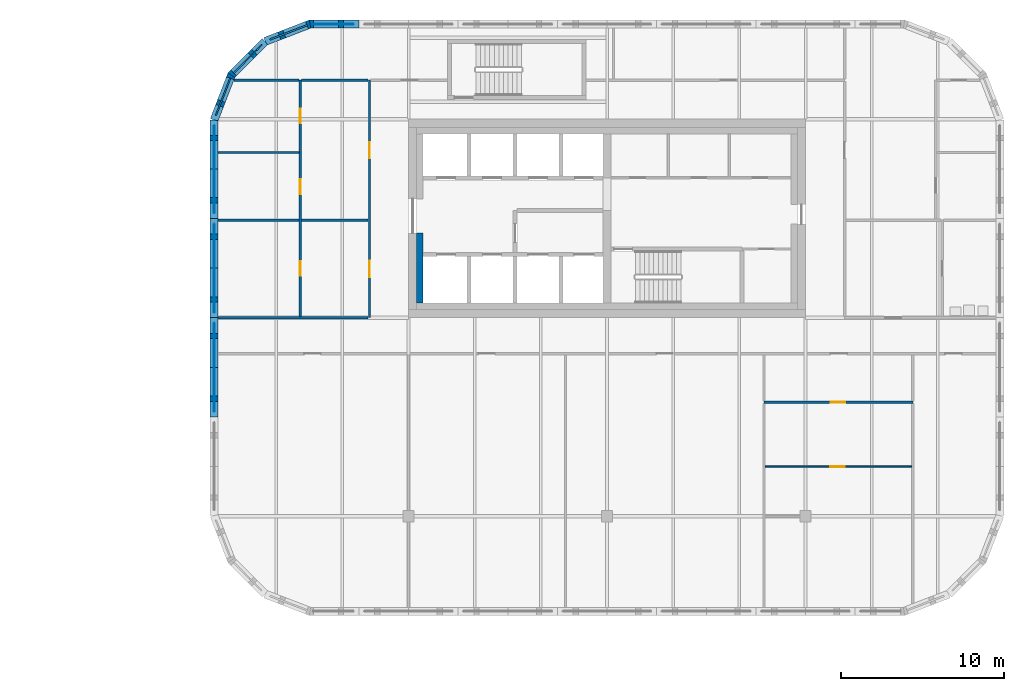
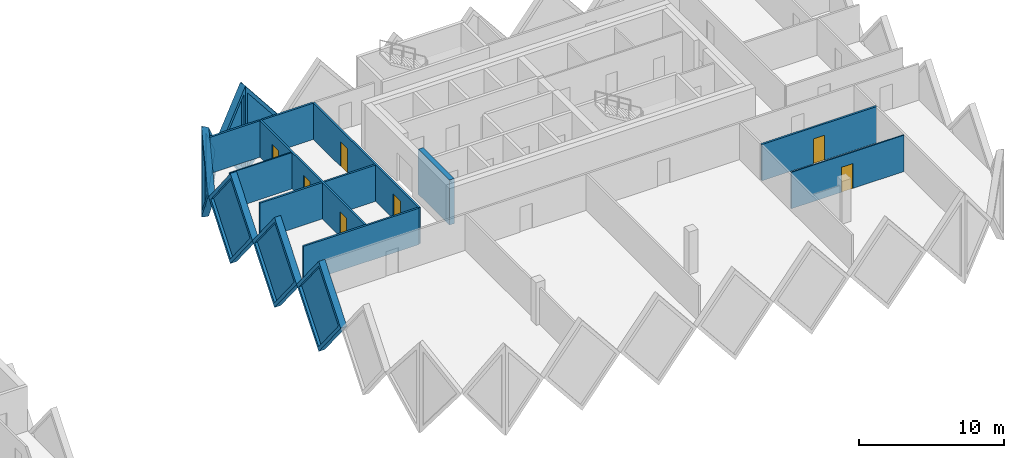
# One storey, part 12 of 19: 18 walls, 7 doors, 7 plates, 14 openings.
"""IFC4 building model written with IfcOpenShell, lengths in metres."""

import ifcopenshell
import ifcopenshell.guid

model = None  # the IFC model being written
_history = None  # IfcOwnerHistory: only IFC2X3 demands one
_inside = {}  # id of a spatial element -> (the spatial element, [elements in it])
_under = {}  # id of a project, library or spatial element -> (it, [spatial elements below it])
_declared = {}  # id of a project -> (the project, [libraries it declares])
_typed = {}  # id of a type object -> (the type object, [elements of that type])
_made_of = {}  # id of a material, layer set ... -> (it, [elements and type objects made of it])


def new_model(schema):
    """Start an empty IFC model of exactly this schema.

    Asked for "IFC4X3", IfcOpenShell would pick the latest addendum, in which some entities
    have other attributes; the version numbers below select the first issue.
    IFC2X3 requires an IfcOwnerHistory on every rooted entity: one is made here for all.
    """
    global model, _history
    if schema == "IFC4X3":
        model = ifcopenshell.file(schema_version=(4, 3, 0, 0))
    else:
        model = ifcopenshell.file(schema=schema)
    _inside.clear()
    _under.clear()
    _declared.clear()
    _typed.clear()
    _made_of.clear()
    _history = None
    if model.schema == "IFC2X3":
        org = make("IfcOrganization", Name="unknown")
        user = make(
            "IfcPersonAndOrganization",
            ThePerson=make("IfcPerson", FamilyName="unknown"),
            TheOrganization=org,
        )
        app = make(
            "IfcApplication",
            ApplicationDeveloper=org,
            Version="unknown",
            ApplicationFullName="unknown",
            ApplicationIdentifier="unknown",
        )
        _history = make(
            "IfcOwnerHistory",
            OwningUser=user,
            OwningApplication=app,
            ChangeAction="ADDED",
            CreationDate=0,
        )
    return model


def make(cls, **values):
    """One entity of the class cls with the attributes given. An attribute that is None is left unset."""
    return model.create_entity(
        cls, **{name: value for name, value in values.items() if value is not None}
    )


def rooted(cls, **values):
    """An entity with a GlobalId (a new one), such as an element, a storey or a relation."""
    return make(cls, GlobalId=ifcopenshell.guid.new(), OwnerHistory=_history, **values)


def si_unit(unit_type, name, prefix=None):
    """IfcSIUnit, for example si_unit("LENGTHUNIT", "METRE", prefix="MILLI")."""
    return make("IfcSIUnit", UnitType=unit_type, Prefix=prefix, Name=name)


def assignment(units):
    """IfcUnitAssignment: the units of a project."""
    return None if units is None else make("IfcUnitAssignment", Units=units)


def point(xyz):
    """IfcCartesianPoint."""
    return None if xyz is None else make("IfcCartesianPoint", Coordinates=xyz)


def direction(xyz):
    """IfcDirection."""
    return None if xyz is None else make("IfcDirection", DirectionRatios=xyz)


def frame(location, z_axis=None, x_axis=None):
    """IfcAxis2Placement3D, a coordinate frame: its origin and axes. An axis left out is left unset."""
    return make(
        "IfcAxis2Placement3D",
        Location=point(location),
        Axis=direction(z_axis),
        RefDirection=direction(x_axis),
    )


def frame_2d(location, x_axis=None):
    """IfcAxis2Placement2D, a coordinate frame in the plane: its origin and x axis."""
    return make(
        "IfcAxis2Placement2D", Location=point(location), RefDirection=direction(x_axis)
    )


def origin():
    """The frame at (0, 0, 0) with its axes left unset."""
    return frame((0.0, 0.0, 0.0))


def place(relative_to, where):
    """IfcLocalPlacement: puts the frame where relative to a parent placement (None: the world)."""
    return make(
        "IfcLocalPlacement", PlacementRelTo=relative_to, RelativePlacement=where
    )


def context(
    kind, dimensions, precision=None, world=None, true_north=None, identifier=None
):
    """IfcGeometricRepresentationContext, for example the 3D "Model" context."""
    return make(
        "IfcGeometricRepresentationContext",
        ContextIdentifier=identifier,
        ContextType=kind,
        CoordinateSpaceDimension=dimensions,
        Precision=precision,
        WorldCoordinateSystem=world,
        TrueNorth=true_north,
    )


def subcontext(parent, identifier, kind, view, scale=None):
    """IfcGeometricRepresentationSubContext, for example "Body" below "Model"."""
    return make(
        "IfcGeometricRepresentationSubContext",
        ContextIdentifier=identifier,
        ContextType=kind,
        ParentContext=parent,
        TargetScale=scale,
        TargetView=view,
    )


def project(units=None, contexts=None):
    """IfcProject with its units and contexts."""
    return rooted(
        "IfcProject",
        Name="project",
        RepresentationContexts=contexts,
        UnitsInContext=assignment(units),
    )


def spatial(cls, under=None, at=None, **own):
    """A site, building, storey or space (cls), placed at a placement, below another one or the project."""
    s = rooted(cls, ObjectPlacement=at, **own)
    if under is not None:
        _under.setdefault(under.id(), (under, []))[1].append(s)
    return s


def polyline(points):
    """IfcPolyline through the points."""
    return make("IfcPolyline", Points=[point(p) for p in points])


def profile(cls, at=None, kind="AREA", **sizes):
    """A parametric profile (cls). Its sizes go by their IFC names, for example OverallWidth=200.0."""
    return make(cls, ProfileType=kind, Position=at, **sizes)


def rectangle(**sizes):
    """IfcRectangleProfileDef."""
    return profile("IfcRectangleProfileDef", **sizes)


def outline(outer, holes=None, kind="AREA"):
    """IfcArbitraryClosedProfileDef: a profile drawn as a closed curve; with holes, ...WithVoids."""
    if holes is None:
        return make("IfcArbitraryClosedProfileDef", ProfileType=kind, OuterCurve=outer)
    return make(
        "IfcArbitraryProfileDefWithVoids",
        ProfileType=kind,
        OuterCurve=outer,
        InnerCurves=holes,
    )


def extrude(swept, where, along, depth):
    """IfcExtrudedAreaSolid: the profile swept, set in the frame where, extruded along a direction by depth."""
    return make(
        "IfcExtrudedAreaSolid",
        SweptArea=swept,
        Position=where,
        ExtrudedDirection=direction(along),
        Depth=depth,
    )


def faces_of(points, faces, orient=None, outer=None):
    """IfcFace entities. A face is a list of loops; a loop is a list of indices into points, from 0.

    orient and outer hold one flag for each loop. By default every Orientation is true, the
    first loop of a face is its IfcFaceOuterBound and the others are IfcFaceBound.
    """
    made = []
    for i, loops in enumerate(faces):
        bounds = []
        for j, loop in enumerate(loops):
            is_outer = j == 0 if outer is None else outer[i][j]
            bounds.append(
                make(
                    "IfcFaceOuterBound" if is_outer else "IfcFaceBound",
                    Bound=make("IfcPolyLoop", Polygon=[points[k] for k in loop]),
                    Orientation=True if orient is None else orient[i][j],
                )
            )
        made.append(make("IfcFace", Bounds=bounds))
    return made


def faceted_brep(points, faces, orient=None, outer=None, voids=None):
    """IfcFacetedBrep: a solid bounded by flat faces; with voids (closed shells), ...WithVoids."""
    shared = [point(p) for p in points]
    hull = make("IfcClosedShell", CfsFaces=faces_of(shared, faces, orient, outer))
    if voids is None:
        return make("IfcFacetedBrep", Outer=hull)
    return make(
        "IfcFacetedBrepWithVoids",
        Outer=hull,
        Voids=[
            make(cls, CfsFaces=faces_of(shared, fs, o, b)) for cls, fs, o, b in voids
        ],
    )


def shape(context_of_items, identifier, shape_type, items):
    """IfcShapeRepresentation: the items that make up one representation, for example the "Body"."""
    return make(
        "IfcShapeRepresentation",
        ContextOfItems=context_of_items,
        RepresentationIdentifier=identifier,
        RepresentationType=shape_type,
        Items=items,
    )


def source(mapping_origin, context_of_items, identifier, shape_type, items):
    """IfcRepresentationMap: a shape defined once, which mapped items show again and again."""
    return make(
        "IfcRepresentationMap",
        MappingOrigin=mapping_origin,
        MappedRepresentation=shape(context_of_items, identifier, shape_type, items),
    )


def transform(
    local_origin,
    x_axis=None,
    y_axis=None,
    z_axis=None,
    scale=None,
    scale2=None,
    scale3=None,
    uniform=True,
):
    """IfcCartesianTransformationOperator3D, or its non-uniform kind. x_axis, y_axis, z_axis: its Axis1, 2, 3."""
    if uniform:
        return make(
            "IfcCartesianTransformationOperator3D",
            Axis1=direction(x_axis),
            Axis2=direction(y_axis),
            LocalOrigin=point(local_origin),
            Scale=scale,
            Axis3=direction(z_axis),
        )
    return make(
        "IfcCartesianTransformationOperator3DnonUniform",
        Axis1=direction(x_axis),
        Axis2=direction(y_axis),
        LocalOrigin=point(local_origin),
        Scale=scale,
        Axis3=direction(z_axis),
        Scale2=scale2,
        Scale3=scale3,
    )


def mapped(mapping_source, mapping_target):
    """IfcMappedItem: shows the shape of a source again, moved by a transform."""
    return make(
        "IfcMappedItem", MappingSource=mapping_source, MappingTarget=mapping_target
    )


def material(Name=None, Category=None):
    """IfcMaterial."""
    return make("IfcMaterial", Name=Name, Category=Category)


def layer(
    of_material, thickness, ventilated=None, Name=None, Category=None, Priority=None
):
    """IfcMaterialLayer: one layer of a wall or slab, of a material (None: an air gap)."""
    return make(
        "IfcMaterialLayer",
        Material=of_material,
        LayerThickness=thickness,
        IsVentilated=ventilated,
        Name=Name,
        Category=Category,
        Priority=Priority,
    )


def layer_set(layers, Name=None):
    """IfcMaterialLayerSet."""
    return make("IfcMaterialLayerSet", MaterialLayers=layers, LayerSetName=Name)


def made_of(thing, what):
    """Note that an element or type object is made of a material, layer set ...; save() writes the relation."""
    if what is not None:
        _made_of.setdefault(what.id(), (what, []))[1].append(thing)
    return thing


def type_object(cls, material=None, **own):
    """A type object (cls), such as IfcWallType, which elements share."""
    return made_of(rooted(cls, **own), material)


def element(
    cls,
    number,
    at=None,
    inside=None,
    cuts=None,
    type_object=None,
    material=None,
    context=None,
    identifier="Body",
    shape_type=None,
    held_by="IfcProductDefinitionShape",
    body=None,
    shapes=None,
    **own,
):
    """One element of the class cls, such as IfcWall. Its Tag is "e" and its number.

    at: its placement. inside: the storey or other place that contains it. cuts: it is an
    opening in that element (IfcRelVoidsElement). A single representation is given by context,
    identifier, shape_type and body (its items); several are given by shapes. held_by: the class
    of the entity that holds the representations. save() writes the other relations.
    """
    e = rooted(cls, Tag="e%d" % number, ObjectPlacement=at, **own)
    if body is not None:
        shapes = [shape(context, identifier, shape_type, body)]
    if shapes is not None:
        e.Representation = make(held_by, Representations=shapes)
    if inside is not None:
        _inside.setdefault(inside.id(), (inside, []))[1].append(e)
    if cuts is not None:
        rooted(
            "IfcRelVoidsElement", RelatingBuildingElement=cuts, RelatedOpeningElement=e
        )
    if type_object is not None:
        _typed.setdefault(type_object.id(), (type_object, []))[1].append(e)
    return made_of(e, material)


def fill(opening, filler):
    """IfcRelFillsElement: the door or window that sits in an opening."""
    return rooted(
        "IfcRelFillsElement",
        RelatingOpeningElement=opening,
        RelatedBuildingElement=filler,
    )


def aggregate(whole, parts):
    """IfcRelAggregates: a whole, such as a stair, and the parts it consists of."""
    return rooted("IfcRelAggregates", RelatingObject=whole, RelatedObjects=parts)


def save(model, path):
    """Write the relations noted so far, then the file.

    IfcRelAggregates (storeys below a building ...), IfcRelContainedInSpatialStructure (elements
    in a storey), IfcRelDefinesByType, IfcRelAssociatesMaterial and IfcRelDeclares: one each for
    every whole, place, type object, material and project.
    """
    for whole, parts in _under.values():
        aggregate(whole, parts)
    for where, things in _inside.values():
        rooted(
            "IfcRelContainedInSpatialStructure",
            RelatedElements=things,
            RelatingStructure=where,
        )
    for kind, things in _typed.values():
        rooted("IfcRelDefinesByType", RelatedObjects=things, RelatingType=kind)
    for what, things in _made_of.values():
        rooted("IfcRelAssociatesMaterial", RelatedObjects=things, RelatingMaterial=what)
    for by, libraries in _declared.values():
        rooted("IfcRelDeclares", RelatingContext=by, RelatedDefinitions=libraries)
    model.write(path)


model = new_model("IFC4")

# Units and contexts
model_context = context("Model", 3, precision=1e-05, world=origin(), true_north=direction((0.0, 1.0)))
body_context = subcontext(model_context, "Body", "Model", "MODEL_VIEW")
ifc_project = project(units=[si_unit("LENGTHUNIT", "METRE"), si_unit("AREAUNIT", "SQUARE_METRE"), si_unit("VOLUMEUNIT", "CUBIC_METRE"), si_unit("PLANEANGLEUNIT", "RADIAN"), si_unit("MASSUNIT", "GRAM", prefix="KILO")], contexts=[model_context])

# Site, building, storey
site_placement = place(None, origin())
site = spatial("IfcSite", under=ifc_project, at=site_placement, CompositionType="ELEMENT")
building_placement = place(site_placement, origin())
building = spatial("IfcBuilding", under=site, at=building_placement, Name="Tessera Gate Towers", CompositionType="ELEMENT")
storey_placement = place(building_placement, frame((0.0, 0.0, 83.800048828125)))
storey = spatial("IfcBuildingStorey", under=building, at=storey_placement, Name="L20", CompositionType="ELEMENT", Elevation=83.800048828125)

# Walls
ifc_material_1 = material(Name="Concrete C50/60", Category="concrete")
ifc_layer_1 = layer(ifc_material_1, 0.39990234375)
ifc_layer_set_1 = layer_set([ifc_layer_1], Name="CORE WALL THICKENING 400")
wall_type_1 = type_object("IfcWallType", Name="CORE WALL THICKENING 400", PredefinedType="SOLIDWALL", material=ifc_layer_set_1)
wall_1_placement = place(storey_placement, frame((98.300048828125, 37.5, 0.0), z_axis=(0.0, 0.0, 1.0), x_axis=(0.0, 1.0, 0.0)))
element("IfcWall", 1, at=wall_1_placement, inside=storey, type_object=wall_type_1, Name="Core wall thickening W L20", PredefinedType="SOLIDWALL", context=body_context, shape_type="SweptSolid", body=[
    extrude(rectangle(XDim=4.300048828125, YDim=0.39990234375, at=frame_2d((2.14990234375, 0.0))), origin(), (0.0, 0.0, 1.0), 3.800048828125),
])
ifc_material_2 = material(Name="Gypsum board on steel studs, mineral wool", Category="steel")
ifc_layer_2 = layer(ifc_material_2, 0.14990234375)
ifc_layer_set_2 = layer_set([ifc_layer_2], Name="CORRIDOR WALL 150")
wall_type_2 = type_object("IfcWallType", Name="CORRIDOR WALL 150", PredefinedType="PARTITIONING", material=ifc_layer_set_2)
wall_2_placement = place(storey_placement, frame((85.89990234375, 36.60009765625, 0.0), z_axis=(0.0, 0.0, 1.0), x_axis=(1.0, 0.0, 0.0)))
element("IfcWall", 2, at=wall_2_placement, inside=storey, type_object=wall_type_2, Name="T2-L20-PW-012", PredefinedType="PARTITIONING", context=body_context, shape_type="SweptSolid", body=[
    extrude(rectangle(XDim=9.22412109375, YDim=0.14990234375, at=frame_2d((4.612060546875, 0.0))), origin(), (0.0, 0.0, 1.0), 3.06689453125),
])

# Wall, openings, doors
wall_3_placement = place(storey_placement, frame((95.199951171875, 36.60009765625, 0.0), z_axis=(0.0, 0.0, 1.0), x_axis=(0.0, 1.0, 0.0)))
wall_3 = element("IfcWall", 3, at=wall_3_placement, inside=storey, type_object=wall_type_2, Name="T2-L20-PW-013", PredefinedType="PARTITIONING", context=body_context, shape_type="SweptSolid", body=[
    extrude(rectangle(XDim=14.599853515625, YDim=0.14990234375, at=frame_2d((7.2998046875, 0.0))), origin(), (0.0, 0.0, 1.0), 3.06689453125),
])
shared_shape_1 = source(origin(), body_context, "Body", "SweptSolid", [
    extrude(rectangle(XDim=1.0, YDim=2.10009765625, at=frame_2d((0.5, 1.050048828125))), frame((0.0, 0.0849609375, 0.0), z_axis=(0.0, -1.0, 0.0), x_axis=(1.0, 0.0, 0.0)), (0.0, 0.0, 1.0), 0.169921875),
])
opening_1_placement = place(wall_3_placement, frame((9.800048828125, 0.0, 0.0)))
opening_1 = element("IfcOpeningElement", 4, at=opening_1_placement, cuts=wall_3, Name="Opening D2100FD60-B08-04", PredefinedType="OPENING", context=body_context, shape_type="MappedRepresentation", body=[
    mapped(shared_shape_1, transform((0.0, 0.0, 0.0), scale=1.0)),
])
opening_2_placement = place(wall_3_placement, frame((2.5, 0.0, 0.0)))
opening_2 = element("IfcOpeningElement", 5, at=opening_2_placement, cuts=wall_3, Name="Opening D2100FD60-B08-07", PredefinedType="OPENING", context=body_context, shape_type="MappedRepresentation", body=[
    mapped(shared_shape_1, transform((0.0, 0.0, 0.0), scale=1.0)),
])
ifc_material_3 = material(Name="Timber door leaf in steel frame", Category="steel")
door_type_1 = type_object("IfcDoorType", Name="TENANCY ENTRANCE DOOR 1000 FD60", OperationType="NOTDEFINED", PredefinedType="DOOR", material=ifc_material_3)
shared_shape_2 = source(origin(), body_context, "Body", "SweptSolid", [
    extrude(rectangle(XDim=1.0, YDim=2.10009765625, at=frame_2d((0.5, 1.050048828125))), frame((0.0, 0.02490234375, 0.0), z_axis=(0.0, -1.0, 0.0), x_axis=(1.0, 0.0, 0.0)), (0.0, 0.0, 1.0), 0.050048828125),
])
door_1_placement = place(opening_1_placement, origin())
door_1 = element("IfcDoor", 6, at=door_1_placement, inside=storey, type_object=door_type_1, Name="T2-L20-PD-010", OperationType="SINGLE_SWING_LEFT", OverallHeight=2.10009765625, OverallWidth=1.0, PredefinedType="DOOR", context=body_context, shape_type="MappedRepresentation", body=[
    mapped(shared_shape_2, transform((0.0, 0.0, 0.0), scale=1.0)),
])
fill(opening_1, door_1)
door_2_placement = place(opening_2_placement, origin())
door_2 = element("IfcDoor", 7, at=door_2_placement, inside=storey, type_object=door_type_1, Name="T2-L20-PD-015", OperationType="SINGLE_SWING_LEFT", OverallHeight=2.10009765625, OverallWidth=1.0, PredefinedType="DOOR", context=body_context, shape_type="MappedRepresentation", body=[
    mapped(shared_shape_2, transform((0.0, 0.0, 0.0), scale=1.0)),
])
fill(opening_2, door_2)

# Wall, opening, door
ifc_material_4 = material(Name="Gypsum board on steel studs", Category="steel")
ifc_layer_3 = layer(ifc_material_4, 0.10009765625)
ifc_layer_set_3 = layer_set([ifc_layer_3], Name="PARTITION 100")
wall_type_3 = type_object("IfcWallType", Name="PARTITION 100", PredefinedType="PARTITIONING", material=ifc_layer_set_3)
wall_4_placement = place(storey_placement, frame((128.52392578125, 27.449951171875, 0.0), z_axis=(0.0, 0.0, 1.0), x_axis=(-1.0, 0.0, 0.0)))
wall_4 = element("IfcWall", 8, at=wall_4_placement, inside=storey, type_object=wall_type_3, Name="T2-L20-PW-007", PredefinedType="PARTITIONING", context=body_context, shape_type="SweptSolid", body=[
    extrude(rectangle(XDim=8.998046875, YDim=0.10009765625, at=frame_2d((4.4990234375, 0.0))), origin(), (0.0, 0.0, 1.0), 3.06689453125),
])
shared_shape_3 = source(origin(), body_context, "Body", "SweptSolid", [
    extrude(rectangle(XDim=0.89990234375, YDim=2.10009765625, at=frame_2d((0.449951171875, 1.050048828125))), frame((0.0, 0.06005859375, 0.0), z_axis=(0.0, -1.0, 0.0), x_axis=(1.0, 0.0, 0.0)), (0.0, 0.0, 1.0), 0.1201171875),
])
opening_3_placement = place(wall_4_placement, frame((4.097900390625, 0.0, 0.0)))
opening_3 = element("IfcOpeningElement", 9, at=opening_3_placement, cuts=wall_4, Name="Opening D190-B08-07", PredefinedType="OPENING", context=body_context, shape_type="MappedRepresentation", body=[
    mapped(shared_shape_3, transform((0.0, 0.0, 0.0), scale=1.0)),
])
ifc_material_5 = material(Name="Timber door leaf in steel frame", Category="steel")
door_type_2 = type_object("IfcDoorType", Name="INTERNAL DOOR 900 NOT RATED", OperationType="NOTDEFINED", PredefinedType="DOOR", material=ifc_material_5)
shared_shape_4 = source(origin(), body_context, "Body", "SweptSolid", [
    extrude(rectangle(XDim=0.89990234375, YDim=2.10009765625, at=frame_2d((0.449951171875, 1.050048828125))), frame((0.0, 0.02490234375, 0.0), z_axis=(0.0, -1.0, 0.0), x_axis=(1.0, 0.0, 0.0)), (0.0, 0.0, 1.0), 0.050048828125),
])
door_3_placement = place(opening_3_placement, origin())
door_3 = element("IfcDoor", 10, at=door_3_placement, inside=storey, type_object=door_type_2, Name="T2-L20-PD-011", OperationType="SINGLE_SWING_RIGHT", OverallHeight=2.10009765625, OverallWidth=0.89990234375, PredefinedType="DOOR", context=body_context, shape_type="MappedRepresentation", body=[
    mapped(shared_shape_4, transform((0.0, 0.0, 0.0), scale=1.0)),
])
fill(opening_3, door_3)

# Wall
wall_5_placement = place(storey_placement, frame((85.89990234375, 46.7548828125, 0.0), z_axis=(0.0, 0.0, 1.0), x_axis=(1.0, 0.0, 0.0)))
element("IfcWall", 11, at=wall_5_placement, inside=storey, type_object=wall_type_3, Name="T2-L20-PW-023", PredefinedType="PARTITIONING", context=body_context, shape_type="SweptSolid", body=[
    extrude(rectangle(XDim=4.97412109375, YDim=0.10009765625, at=frame_2d((2.487060546875, 0.0))), origin(), (0.0, 0.0, 1.0), 3.06689453125),
])

# Wall, opening, door
ifc_material_6 = material(Name="Gypsum board on steel studs, mineral wool", Category="steel")
ifc_layer_4 = layer(ifc_material_6, 0.14990234375)
ifc_layer_set_4 = layer_set([ifc_layer_4], Name="TENANCY WALL 150")
wall_type_4 = type_object("IfcWallType", Name="TENANCY WALL 150", PredefinedType="PARTITIONING", material=ifc_layer_set_4)
wall_6_placement = place(storey_placement, frame((128.60009765625, 31.39990234375, 0.0), z_axis=(0.0, 0.0, 1.0), x_axis=(-1.0, 0.0, 0.0)))
wall_6 = element("IfcWall", 12, at=wall_6_placement, inside=storey, type_object=wall_type_4, Name="T2-L20-PW-008", PredefinedType="PARTITIONING", context=body_context, shape_type="SweptSolid", body=[
    extrude(rectangle(XDim=9.150146484375, YDim=0.14990234375, at=frame_2d((4.5751953125, 0.0))), origin(), (0.0, 0.0, 1.0), 3.06689453125),
])
shared_shape_5 = source(origin(), body_context, "Body", "SweptSolid", [
    extrude(rectangle(XDim=0.89990234375, YDim=2.10009765625, at=frame_2d((0.449951171875, 1.050048828125))), frame((0.0, 0.0849609375, 0.0), z_axis=(0.0, -1.0, 0.0), x_axis=(1.0, 0.0, 0.0)), (0.0, 0.0, 1.0), 0.169921875),
])
opening_4_placement = place(wall_6_placement, frame((4.14990234375, 0.0, 0.0)))
opening_4 = element("IfcOpeningElement", 13, at=opening_4_placement, cuts=wall_6, Name="Opening D190-B08-08", PredefinedType="OPENING", context=body_context, shape_type="MappedRepresentation", body=[
    mapped(shared_shape_5, transform((0.0, 0.0, 0.0), scale=1.0)),
])
door_4_placement = place(opening_4_placement, origin())
door_4 = element("IfcDoor", 14, at=door_4_placement, inside=storey, type_object=door_type_2, Name="T2-L20-PD-013", OperationType="SINGLE_SWING_RIGHT", OverallHeight=2.10009765625, OverallWidth=0.89990234375, PredefinedType="DOOR", context=body_context, shape_type="MappedRepresentation", body=[
    mapped(shared_shape_4, transform((0.0, 0.0, 0.0), scale=1.0)),
])
fill(opening_4, door_4)

# Wall, openings, doors
wall_7_placement = place(storey_placement, frame((90.949951171875, 36.676025390625, 0.0), z_axis=(0.0, 0.0, 1.0), x_axis=(0.0, 1.0, 0.0)))
wall_7 = element("IfcWall", 15, at=wall_7_placement, inside=storey, type_object=wall_type_4, Name="T2-L20-PW-015", PredefinedType="PARTITIONING", context=body_context, shape_type="SweptSolid", body=[
    extrude(rectangle(XDim=14.52392578125, YDim=0.14990234375, at=frame_2d((7.261962890625, 0.0))), origin(), (0.0, 0.0, 1.0), 3.06689453125),
])
opening_5_placement = place(wall_7_placement, frame((7.52490234375, 0.0, 0.0)))
opening_5 = element("IfcOpeningElement", 16, at=opening_5_placement, cuts=wall_7, Name="Opening D190-B08-02", PredefinedType="OPENING", context=body_context, shape_type="MappedRepresentation", body=[
    mapped(shared_shape_5, transform((0.0, 0.0, 0.0), scale=1.0)),
])
opening_6_placement = place(wall_7_placement, frame((11.878662109375, 0.0, 0.0)))
opening_6 = element("IfcOpeningElement", 17, at=opening_6_placement, cuts=wall_7, Name="Opening D190-B08-03", PredefinedType="OPENING", context=body_context, shape_type="MappedRepresentation", body=[
    mapped(shared_shape_5, transform((0.0, 0.0, 0.0), scale=1.0)),
])
opening_7_placement = place(wall_7_placement, frame((2.5, 0.0, 0.0)))
opening_7 = element("IfcOpeningElement", 18, at=opening_7_placement, cuts=wall_7, Name="Opening D190-B08-04", PredefinedType="OPENING", context=body_context, shape_type="MappedRepresentation", body=[
    mapped(shared_shape_5, transform((0.0, 0.0, 0.0), scale=1.0)),
])
door_5_placement = place(opening_5_placement, origin())
door_5 = element("IfcDoor", 19, at=door_5_placement, inside=storey, type_object=door_type_2, Name="T2-L20-PD-002", OperationType="SINGLE_SWING_LEFT", OverallHeight=2.10009765625, OverallWidth=0.89990234375, PredefinedType="DOOR", context=body_context, shape_type="MappedRepresentation", body=[
    mapped(shared_shape_4, transform((0.0, 0.0, 0.0), scale=1.0)),
])
fill(opening_5, door_5)
door_6_placement = place(opening_6_placement, origin())
door_6 = element("IfcDoor", 20, at=door_6_placement, inside=storey, type_object=door_type_2, Name="T2-L20-PD-003", OperationType="SINGLE_SWING_LEFT", OverallHeight=2.10009765625, OverallWidth=0.89990234375, PredefinedType="DOOR", context=body_context, shape_type="MappedRepresentation", body=[
    mapped(shared_shape_4, transform((0.0, 0.0, 0.0), scale=1.0)),
])
fill(opening_6, door_6)
door_7_placement = place(opening_7_placement, origin())
door_7 = element("IfcDoor", 21, at=door_7_placement, inside=storey, type_object=door_type_2, Name="T2-L20-PD-005", OperationType="SINGLE_SWING_LEFT", OverallHeight=2.10009765625, OverallWidth=0.89990234375, PredefinedType="DOOR", context=body_context, shape_type="MappedRepresentation", body=[
    mapped(shared_shape_4, transform((0.0, 0.0, 0.0), scale=1.0)),
])
fill(opening_7, door_7)

# Walls
wall_8_placement = place(storey_placement, frame((85.89990234375, 42.60009765625, 0.0), z_axis=(0.0, 0.0, 1.0), x_axis=(1.0, 0.0, 0.0)))
element("IfcWall", 22, at=wall_8_placement, inside=storey, type_object=wall_type_4, Name="T2-L20-PW-018", PredefinedType="PARTITIONING", context=body_context, shape_type="SweptSolid", body=[
    extrude(rectangle(XDim=4.97412109375, YDim=0.14990234375, at=frame_2d((2.487060546875, 0.0))), origin(), (0.0, 0.0, 1.0), 3.06689453125),
])
wall_9_placement = place(storey_placement, frame((91.02587890625, 42.60009765625, 0.0), z_axis=(0.0, 0.0, 1.0), x_axis=(1.0, 0.0, 0.0)))
element("IfcWall", 23, at=wall_9_placement, inside=storey, type_object=wall_type_4, Name="T2-L20-PW-019", PredefinedType="PARTITIONING", context=body_context, shape_type="SweptSolid", body=[
    extrude(rectangle(XDim=4.09814453125, YDim=0.14990234375, at=frame_2d((2.049072265625, 0.0))), origin(), (0.0, 0.0, 1.0), 3.06689453125),
])
wall_10_placement = place(storey_placement, frame((86.86181640625, 51.199951171875, 0.0), z_axis=(0.0, 0.0, 1.0), x_axis=(1.0, 0.0, 0.0)))
element("IfcWall", 24, at=wall_10_placement, inside=storey, type_object=wall_type_4, Name="T2-L20-PW-025", PredefinedType="PARTITIONING", context=body_context, shape_type="SweptSolid", body=[
    extrude(rectangle(XDim=4.01220703125, YDim=0.14990234375, at=frame_2d((2.006103515625, 0.0))), origin(), (0.0, 0.0, 1.0), 3.06689453125),
])
wall_11_placement = place(storey_placement, frame((91.02587890625, 51.199951171875, 0.0), z_axis=(0.0, 0.0, 1.0), x_axis=(1.0, 0.0, 0.0)))
element("IfcWall", 25, at=wall_11_placement, inside=storey, type_object=wall_type_4, Name="T2-L20-PW-026", PredefinedType="PARTITIONING", context=body_context, shape_type="SweptSolid", body=[
    extrude(rectangle(XDim=4.09814453125, YDim=0.14990234375, at=frame_2d((2.049072265625, 0.0))), origin(), (0.0, 0.0, 1.0), 3.06689453125),
])

# Wall, opening, plate
ifc_material_7 = material(Name="Precast concrete C60/75 white", Category="concrete")
ifc_layer_5 = layer(ifc_material_7, 0.5)
ifc_layer_set_5 = layer_set([ifc_layer_5], Name="TS1 tessera")
wall_type_5 = type_object("IfcWallType", Name="TS1 tessera", PredefinedType="SOLIDWALL", material=ifc_layer_set_5)
shared_shape_6 = source(origin(), body_context, "Body", "Brep", [
    faceted_brep([(3.00341796875, -0.25, 0.0), (6.053466796875, -0.25, 3.800048828125), (3.00341796875, -0.25, 7.60009765625), (0.0, -0.25, 3.800048828125), (0.046630859375, 0.25, 3.85888671875), (3.00341796875, 0.25, 7.60009765625), (6.053466796875, 0.25, 3.800048828125), (3.00341796875, 0.25, 0.0), (0.046630859375, 0.25, 3.7412109375), (0.0, 0.0, 3.800048828125)], [[[0, 1, 2, 3]], [[4, 5, 6, 7, 8]], [[7, 6, 1, 0]], [[6, 5, 2, 1]], [[5, 4, 9, 3, 2]], [[8, 7, 0, 3, 9]], [[8, 9, 4]]]),
])
wall_12_placement = place(storey_placement, frame((85.64990234375, 48.75341796875, -3.800048828125), z_axis=(0.0, 0.0, 1.0), x_axis=(0.0, -1.0, 0.0)))
wall_12 = element("IfcWall", 26, at=wall_12_placement, inside=storey, type_object=wall_type_5, Name="Precast tessera T2 TS1-0248", PredefinedType="SOLIDWALL", context=body_context, shape_type="MappedRepresentation", body=[
    mapped(shared_shape_6, transform((0.0, 0.0, 0.0), scale=1.0)),
])
shared_shape_7 = source(origin(), body_context, "Body", "SweptSolid", [
    extrude(outline(polyline([(3.0048828125, 0.4013671875), (5.73291015625, 3.800048828125), (3.0048828125, 7.19873046875), (0.318603515625, 3.800048828125), (3.0048828125, 0.4013671875)])), frame((0.0, 0.260009765625, 0.0), z_axis=(0.0, -1.0, 0.0), x_axis=(1.0, 0.0, 0.0)), (0.0, 0.0, 1.0), 0.52001953125),
])
opening_8_placement = place(wall_12_placement, origin())
opening_8 = element("IfcOpeningElement", 27, at=opening_8_placement, cuts=wall_12, Name="Opening T2-PL2-0470", PredefinedType="OPENING", context=body_context, shape_type="MappedRepresentation", body=[
    mapped(shared_shape_7, transform((0.0, 0.0, 0.0), scale=1.0)),
])
ifc_material_8 = material(Name="Low-e laminated glass", Category="glass")
ifc_layer_6 = layer(ifc_material_8, 0.06005859375)
ifc_layer_set_6 = layer_set([ifc_layer_6], Name="PL2 rhombic pane")
plate_type = type_object("IfcPlateType", Name="PL2 rhombic pane", PredefinedType="SHEET", material=ifc_layer_set_6)
shared_shape_8 = source(origin(), body_context, "Body", "SweptSolid", [
    extrude(outline(polyline([(3.0048828125, 0.4013671875), (5.73291015625, 3.800048828125), (3.0048828125, 7.19873046875), (0.318603515625, 3.800048828125), (3.0048828125, 0.4013671875)])), frame((0.0, 0.030029296875, 0.0), z_axis=(0.0, -1.0, 0.0), x_axis=(1.0, 0.0, 0.0)), (0.0, 0.0, 1.0), 0.06005859375),
])
plate_1_placement = place(opening_8_placement, origin())
plate_1 = element("IfcPlate", 28, at=plate_1_placement, inside=storey, type_object=plate_type, Name="Glass pane T2 PL2-0470", PredefinedType="SHEET", context=body_context, shape_type="MappedRepresentation", body=[
    mapped(shared_shape_8, transform((0.0, 0.0, 0.0), scale=1.0)),
])
fill(opening_8, plate_1)

shared_shape_9 = source(origin(), body_context, "Body", "Brep", [
    faceted_brep([(3.050048828125, -0.25, 0.0), (6.099853515625, -0.25, 3.7998046875), (6.099853515625, -0.25, 3.80029296875), (3.050048828125, -0.25, 7.60009765625), (0.0, -0.25, 3.800048828125), (0.0, 0.25, 3.800048828125), (3.050048828125, 0.25, 7.60009765625), (6.099853515625, 0.25, 3.80029296875), (6.099853515625, 0.25, 3.7998046875), (3.050048828125, 0.25, 0.0)], [[[0, 1, 2, 3, 4]], [[5, 6, 7, 8, 9]], [[9, 8, 1, 0]], [[7, 6, 3, 2]], [[6, 5, 4, 3]], [[5, 9, 0, 4]], [[1, 8, 7, 2]]]),
])
wall_13_placement = place(storey_placement, frame((85.64990234375, 42.699951171875, -3.800048828125), z_axis=(0.0, 0.0, 1.0), x_axis=(0.0, -1.0, 0.0)))
wall_13 = element("IfcWall", 29, at=wall_13_placement, inside=storey, type_object=wall_type_5, Name="Precast tessera T2 TS1-0249", PredefinedType="SOLIDWALL", context=body_context, shape_type="MappedRepresentation", body=[
    mapped(shared_shape_9, transform((0.0, 0.0, 0.0), scale=1.0)),
])
shared_shape_10 = source(origin(), body_context, "Body", "SweptSolid", [
    extrude(outline(polyline([(3.050048828125, 0.3994140625), (5.779541015625, 3.800048828125), (3.050048828125, 7.20068359375), (0.320556640625, 3.800048828125), (3.050048828125, 0.3994140625)])), frame((0.0, 0.260009765625, 0.0), z_axis=(0.0, -1.0, 0.0), x_axis=(1.0, 0.0, 0.0)), (0.0, 0.0, 1.0), 0.52001953125),
])
opening_9_placement = place(wall_13_placement, origin())
opening_9 = element("IfcOpeningElement", 30, at=opening_9_placement, cuts=wall_13, Name="Opening T2-PL2-0471", PredefinedType="OPENING", context=body_context, shape_type="MappedRepresentation", body=[
    mapped(shared_shape_10, transform((0.0, 0.0, 0.0), scale=1.0)),
])
shared_shape_11 = source(origin(), body_context, "Body", "SweptSolid", [
    extrude(outline(polyline([(3.050048828125, 0.3994140625), (5.779541015625, 3.800048828125), (3.050048828125, 7.20068359375), (0.320556640625, 3.800048828125), (3.050048828125, 0.3994140625)])), frame((0.0, 0.030029296875, 0.0), z_axis=(0.0, -1.0, 0.0), x_axis=(1.0, 0.0, 0.0)), (0.0, 0.0, 1.0), 0.06005859375),
])
plate_2_placement = place(opening_9_placement, origin())
plate_2 = element("IfcPlate", 31, at=plate_2_placement, inside=storey, type_object=plate_type, Name="Glass pane T2 PL2-0471", PredefinedType="SHEET", context=body_context, shape_type="MappedRepresentation", body=[
    mapped(shared_shape_11, transform((0.0, 0.0, 0.0), scale=1.0)),
])
fill(opening_9, plate_2)

shared_shape_12 = source(origin(), body_context, "Body", "SweptSolid", [
    extrude(outline(polyline([(3.050048828125, 0.0), (6.10009765625, 3.800048828125), (3.050048828125, 7.60009765625), (0.0, 3.800048828125), (3.050048828125, 0.0)])), frame((0.0, 0.25, 0.0), z_axis=(0.0, -1.0, 0.0), x_axis=(1.0, 0.0, 0.0)), (0.0, 0.0, 1.0), 0.5),
])
wall_14_placement = place(storey_placement, frame((85.64990234375, 36.60009765625, -3.800048828125), z_axis=(0.0, 0.0, 1.0), x_axis=(0.0, -1.0, 0.0)))
wall_14 = element("IfcWall", 32, at=wall_14_placement, inside=storey, type_object=wall_type_5, Name="Precast tessera T2 TS1-0250", PredefinedType="SOLIDWALL", context=body_context, shape_type="MappedRepresentation", body=[
    mapped(shared_shape_12, transform((0.0, 0.0, 0.0), scale=1.0)),
])
opening_10_placement = place(wall_14_placement, origin())
opening_10 = element("IfcOpeningElement", 33, at=opening_10_placement, cuts=wall_14, Name="Opening T2-PL2-0472", PredefinedType="OPENING", context=body_context, shape_type="MappedRepresentation", body=[
    mapped(shared_shape_10, transform((0.0, 0.0, 0.0), scale=1.0)),
])
plate_3_placement = place(opening_10_placement, origin())
plate_3 = element("IfcPlate", 34, at=plate_3_placement, inside=storey, type_object=plate_type, Name="Glass pane T2 PL2-0472", PredefinedType="SHEET", context=body_context, shape_type="MappedRepresentation", body=[
    mapped(shared_shape_11, transform((0.0, 0.0, 0.0), scale=1.0)),
])
fill(opening_10, plate_3)

ifc_material_9 = material(Name="Precast concrete C60/75 white", Category="concrete")
ifc_layer_7 = layer(ifc_material_9, 0.5)
ifc_layer_set_7 = layer_set([ifc_layer_7], Name="TS3 corner tessera")
wall_type_6 = type_object("IfcWallType", Name="TS3 corner tessera", PredefinedType="SOLIDWALL", material=ifc_layer_set_7)
shared_shape_13 = source(origin(), body_context, "Body", "Brep", [
    faceted_brep([(3.00341796875, -0.25, 0.0), (3.050048828125, -0.25, 0.06005859375), (3.050048828125, -0.25, 7.5400390625), (3.00341796875, -0.25, 7.60009765625), (0.0, -0.25, 3.800048828125), (0.0, 0.25, 3.800048828125), (2.956787109375, 0.25, 7.541259765625), (2.956787109375, 0.25, 0.058837890625), (3.00341796875, 0.000244140625, 0.0), (3.00341796875, 0.000244140625, 7.60009765625)], [[[0, 1, 2, 3, 4]], [[5, 6, 7]], [[1, 0, 8]], [[9, 3, 2]], [[6, 5, 4, 3, 9]], [[5, 7, 8, 0, 4]], [[1, 8, 7, 6, 9, 2]]]),
])
wall_15_placement = place(storey_placement, frame((94.550048828125, 54.64990234375, -3.800048828125), z_axis=(0.0, 0.0, 1.0), x_axis=(-1.0, 0.0, 0.0)))
wall_15 = element("IfcWall", 35, at=wall_15_placement, inside=storey, type_object=wall_type_6, Name="Precast corner tessera T2 TS3-0299", PredefinedType="SOLIDWALL", context=body_context, shape_type="MappedRepresentation", body=[
    mapped(shared_shape_13, transform((0.0, 0.0, 0.0), scale=1.0)),
])
shared_shape_14 = source(origin(), body_context, "Body", "SweptSolid", [
    extrude(outline(polyline([(2.803466796875, 6.94384765625), (0.318603515625, 3.800048828125), (2.803466796875, 0.65625), (2.803466796875, 6.94384765625)])), frame((0.0, 0.260009765625, 0.0), z_axis=(0.0, -1.0, 0.0), x_axis=(1.0, 0.0, 0.0)), (0.0, 0.0, 1.0), 0.52001953125),
])
opening_11_placement = place(wall_15_placement, origin())
opening_11 = element("IfcOpeningElement", 36, at=opening_11_placement, cuts=wall_15, Name="Opening T2-PL2-0466", PredefinedType="OPENING", context=body_context, shape_type="MappedRepresentation", body=[
    mapped(shared_shape_14, transform((0.0, 0.0, 0.0), scale=1.0)),
])
shared_shape_15 = source(origin(), body_context, "Body", "SweptSolid", [
    extrude(outline(polyline([(2.803466796875, 6.94384765625), (0.318603515625, 3.800048828125), (2.803466796875, 0.65625), (2.803466796875, 6.94384765625)])), frame((0.0, 0.030029296875, 0.0), z_axis=(0.0, -1.0, 0.0), x_axis=(1.0, 0.0, 0.0)), (0.0, 0.0, 1.0), 0.06005859375),
])
plate_4_placement = place(opening_11_placement, origin())
plate_4 = element("IfcPlate", 37, at=plate_4_placement, inside=storey, type_object=plate_type, Name="Glass pane T2 PL2-0466", PredefinedType="SHEET", context=body_context, shape_type="MappedRepresentation", body=[
    mapped(shared_shape_15, transform((0.0, 0.0, 0.0), scale=1.0)),
])
fill(opening_11, plate_4)

shared_shape_16 = source(origin(), body_context, "Body", "Brep", [
    faceted_brep([(0.052978515625, -0.25, 0.0), (3.00341796875, -0.25, 3.800048828125), (0.052978515625, -0.25, 7.60009765625), (0.0, -0.25, 7.53173828125), (0.0, -0.25, 0.068359375), (0.10595703125, 0.25, 7.531982421875), (2.95703125, 0.25, 3.85986328125), (2.95703125, 0.25, 3.740234375), (0.10595703125, 0.25, 0.068115234375), (3.00341796875, 0.00048828125, 3.800048828125), (0.052978515625, 0.0, 0.0), (0.052978515625, 0.0, 7.60009765625)], [[[0, 1, 2, 3, 4]], [[5, 6, 7, 8]], [[8, 7, 9, 1, 0, 10]], [[6, 5, 11, 2, 1, 9]], [[3, 2, 11]], [[10, 0, 4]], [[8, 10, 4, 3, 11, 5]], [[9, 7, 6]]]),
])
wall_16_placement = place(storey_placement, frame((86.73095703125, 51.5556640625, -3.800048828125), z_axis=(0.0, 0.0, 1.0), x_axis=(-0.359855894603, -0.933007896601, 0.0)))
wall_16 = element("IfcWall", 38, at=wall_16_placement, inside=storey, type_object=wall_type_6, Name="Precast corner tessera T2 TS3-0302", PredefinedType="SOLIDWALL", context=body_context, shape_type="MappedRepresentation", body=[
    mapped(shared_shape_16, transform((0.0, 0.0, 0.0), scale=1.0)),
])
shared_shape_17 = source(origin(), body_context, "Body", "SweptSolid", [
    extrude(outline(polyline([(0.2529296875, 0.665283203125), (2.68701171875, 3.800048828125), (0.2529296875, 6.934814453125), (0.2529296875, 0.665283203125)])), frame((0.0, 0.260009765625, 0.0), z_axis=(0.0, -1.0, 0.0), x_axis=(1.0, 0.0, 0.0)), (0.0, 0.0, 1.0), 0.52001953125),
])
opening_12_placement = place(wall_16_placement, origin())
opening_12 = element("IfcOpeningElement", 39, at=opening_12_placement, cuts=wall_16, Name="Opening T2-PL2-0469", PredefinedType="OPENING", context=body_context, shape_type="MappedRepresentation", body=[
    mapped(shared_shape_17, transform((0.0, 0.0, 0.0), scale=1.0)),
])
shared_shape_18 = source(origin(), body_context, "Body", "SweptSolid", [
    extrude(outline(polyline([(0.2529296875, 0.665283203125), (2.68701171875, 3.800048828125), (0.2529296875, 6.934814453125), (0.2529296875, 0.665283203125)])), frame((0.0, 0.030029296875, 0.0), z_axis=(0.0, -1.0, 0.0), x_axis=(1.0, 0.0, 0.0)), (0.0, 0.0, 1.0), 0.06005859375),
])
plate_5_placement = place(opening_12_placement, origin())
plate_5 = element("IfcPlate", 40, at=plate_5_placement, inside=storey, type_object=plate_type, Name="Glass pane T2 PL2-0469", PredefinedType="SHEET", context=body_context, shape_type="MappedRepresentation", body=[
    mapped(shared_shape_18, transform((0.0, 0.0, 0.0), scale=1.0)),
])
fill(opening_12, plate_5)

shared_shape_19 = source(origin(), body_context, "Body", "Brep", [
    faceted_brep([(2.944091796875, -0.25, 0.0), (2.9970703125, -0.25, 0.068115234375), (2.9970703125, -0.25, 7.531982421875), (2.944091796875, -0.25, 7.60009765625), (0.0, -0.25, 3.800048828125), (0.052978515625, 0.25, 3.868408203125), (2.89111328125, 0.25, 7.531982421875), (2.89111328125, 0.25, 0.068115234375), (0.052978515625, 0.25, 3.731689453125), (2.944091796875, 0.000244140625, 0.0), (2.944091796875, 0.000244140625, 7.60009765625), (0.0, 0.0, 3.800048828125)], [[[0, 1, 2, 3, 4]], [[5, 6, 7, 8]], [[1, 0, 9]], [[10, 3, 2]], [[6, 5, 11, 4, 3, 10]], [[8, 7, 9, 0, 4, 11]], [[8, 11, 5]], [[1, 9, 7, 6, 10, 2]]]),
])
wall_17_placement = place(storey_placement, frame((88.793701171875, 53.588134765625, -3.800048828125), z_axis=(0.0, 0.0, 1.0), x_axis=(-0.707066050402, -0.707147509625, 0.0)))
wall_17 = element("IfcWall", 41, at=wall_17_placement, inside=storey, type_object=wall_type_6, Name="Precast corner tessera T2 TS3-0301", PredefinedType="SOLIDWALL", context=body_context, shape_type="MappedRepresentation", body=[
    mapped(shared_shape_19, transform((0.0, 0.0, 0.0), scale=1.0)),
])
shared_shape_20 = source(origin(), body_context, "Body", "SweptSolid", [
    extrude(outline(polyline([(2.744140625, 6.93359375), (0.316162109375, 3.800048828125), (2.744140625, 0.666259765625), (2.744140625, 6.93359375)])), frame((0.0, 0.260009765625, 0.0), z_axis=(0.0, -1.0, 0.0), x_axis=(1.0, 0.0, 0.0)), (0.0, 0.0, 1.0), 0.52001953125),
])
opening_13_placement = place(wall_17_placement, origin())
opening_13 = element("IfcOpeningElement", 42, at=opening_13_placement, cuts=wall_17, Name="Opening T2-PL2-0468", PredefinedType="OPENING", context=body_context, shape_type="MappedRepresentation", body=[
    mapped(shared_shape_20, transform((0.0, 0.0, 0.0), scale=1.0)),
])
shared_shape_21 = source(origin(), body_context, "Body", "SweptSolid", [
    extrude(outline(polyline([(2.744140625, 6.93359375), (0.316162109375, 3.800048828125), (2.744140625, 0.666259765625), (2.744140625, 6.93359375)])), frame((0.0, 0.030029296875, 0.0), z_axis=(0.0, -1.0, 0.0), x_axis=(1.0, 0.0, 0.0)), (0.0, 0.0, 1.0), 0.06005859375),
])
plate_6_placement = place(opening_13_placement, origin())
plate_6 = element("IfcPlate", 43, at=plate_6_placement, inside=storey, type_object=plate_type, Name="Glass pane T2 PL2-0468", PredefinedType="SHEET", context=body_context, shape_type="MappedRepresentation", body=[
    mapped(shared_shape_21, transform((0.0, 0.0, 0.0), scale=1.0)),
])
fill(opening_13, plate_6)

shared_shape_22 = source(origin(), body_context, "Body", "Brep", [
    faceted_brep([(0.046630859375, -0.25, 0.0), (2.9970703125, -0.25, 3.800048828125), (0.046630859375, -0.25, 7.60009765625), (0.0, -0.25, 7.541259765625), (0.0, -0.25, 0.058837890625), (0.09326171875, 0.25, 7.5400390625), (2.9443359375, 0.25, 3.8681640625), (2.9443359375, 0.25, 3.73193359375), (0.09326171875, 0.25, 0.06005859375), (2.9970703125, 0.00048828125, 3.800048828125), (0.046630859375, 0.0, 0.0), (0.046630859375, 0.0, 7.60009765625)], [[[0, 1, 2, 3, 4]], [[5, 6, 7, 8]], [[8, 7, 9, 1, 0, 10]], [[6, 5, 11, 2, 1, 9]], [[3, 2, 11]], [[10, 0, 4]], [[8, 10, 4, 3, 11, 5]], [[9, 7, 6]]]),
])
wall_18_placement = place(storey_placement, frame((91.590087890625, 54.666748046875, -3.800048828125), z_axis=(0.0, 0.0, 1.0), x_axis=(-0.933000876937, -0.359874094142, 0.0)))
wall_18 = element("IfcWall", 44, at=wall_18_placement, inside=storey, type_object=wall_type_6, Name="Precast corner tessera T2 TS3-0300", PredefinedType="SOLIDWALL", context=body_context, shape_type="MappedRepresentation", body=[
    mapped(shared_shape_22, transform((0.0, 0.0, 0.0), scale=1.0)),
])
shared_shape_23 = source(origin(), body_context, "Body", "SweptSolid", [
    extrude(outline(polyline([(0.24658203125, 0.665283203125), (2.6806640625, 3.800048828125), (0.24658203125, 6.934814453125), (0.24658203125, 0.665283203125)])), frame((0.0, 0.260009765625, 0.0), z_axis=(0.0, -1.0, 0.0), x_axis=(1.0, 0.0, 0.0)), (0.0, 0.0, 1.0), 0.52001953125),
])
opening_14_placement = place(wall_18_placement, origin())
opening_14 = element("IfcOpeningElement", 45, at=opening_14_placement, cuts=wall_18, Name="Opening T2-PL2-0467", PredefinedType="OPENING", context=body_context, shape_type="MappedRepresentation", body=[
    mapped(shared_shape_23, transform((0.0, 0.0, 0.0), scale=1.0)),
])
shared_shape_24 = source(origin(), body_context, "Body", "SweptSolid", [
    extrude(outline(polyline([(0.24658203125, 0.665283203125), (2.6806640625, 3.800048828125), (0.24658203125, 6.934814453125), (0.24658203125, 0.665283203125)])), frame((0.0, 0.030029296875, 0.0), z_axis=(0.0, -1.0, 0.0), x_axis=(1.0, 0.0, 0.0)), (0.0, 0.0, 1.0), 0.06005859375),
])
plate_7_placement = place(opening_14_placement, origin())
plate_7 = element("IfcPlate", 46, at=plate_7_placement, inside=storey, type_object=plate_type, Name="Glass pane T2 PL2-0467", PredefinedType="SHEET", context=body_context, shape_type="MappedRepresentation", body=[
    mapped(shared_shape_24, transform((0.0, 0.0, 0.0), scale=1.0)),
])
fill(opening_14, plate_7)

save(model, "model.ifc")
